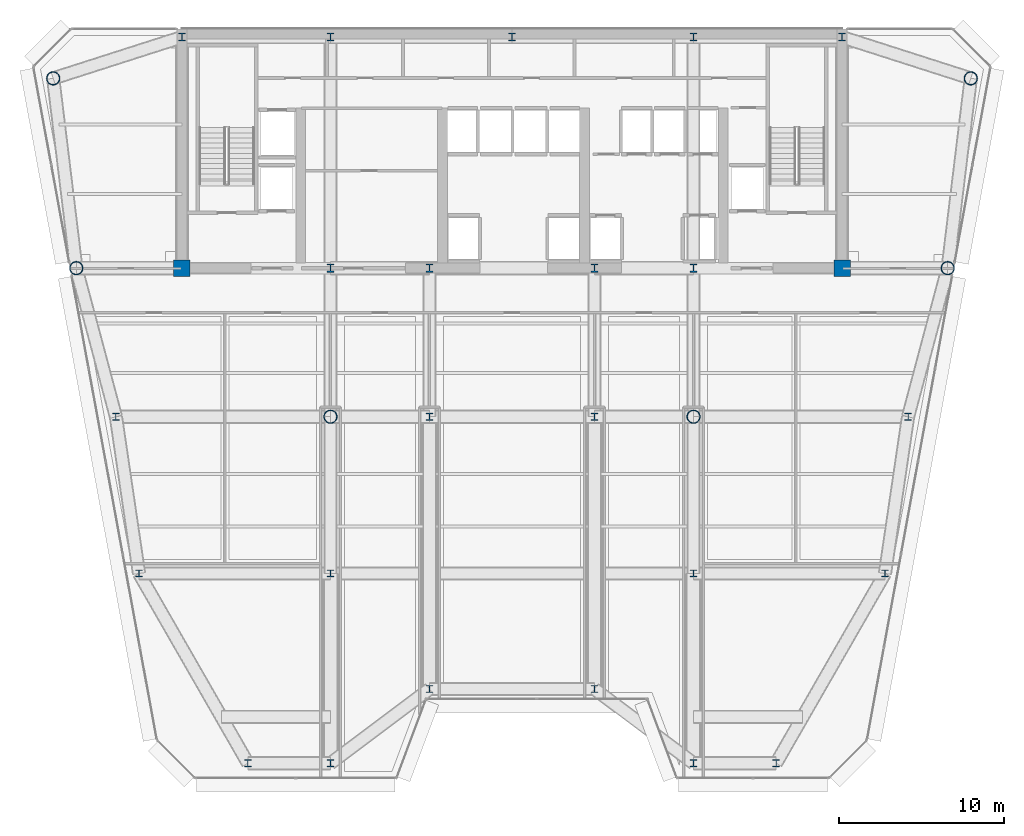
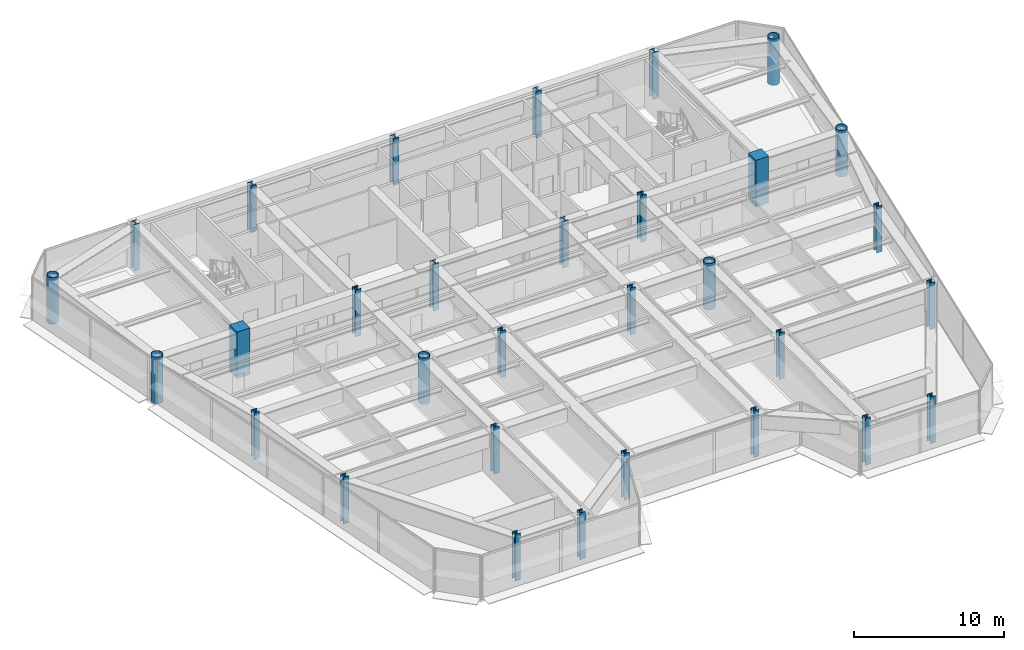
# One storey, part 1 of 16: 31 columns.
"""IFC4 building model written with IfcOpenShell, lengths in metres."""

from ifc_helpers import new_model, si_unit, direction, frame, origin, origin_2d, place, context, subcontext, project, spatial, rectangle, hollow_circle, i_section, extrude, source, transform, mapped, material, material_profile, profile_set, type_object, element, save


model = new_model("IFC4")

# Units and contexts
model_context = context("Model", 3, precision=1e-05, world=origin(), true_north=direction((0.0, 1.0)))
body_context = subcontext(model_context, "Body", "Model", "MODEL_VIEW")
ifc_project = project(units=[si_unit("LENGTHUNIT", "METRE"), si_unit("AREAUNIT", "SQUARE_METRE"), si_unit("VOLUMEUNIT", "CUBIC_METRE"), si_unit("PLANEANGLEUNIT", "RADIAN"), si_unit("MASSUNIT", "GRAM", prefix="KILO")], contexts=[model_context])

# Site, building, storey
site_placement = place(None, origin())
site = spatial("IfcSite", under=ifc_project, at=site_placement, CompositionType="ELEMENT")
building_placement = place(site_placement, origin())
building = spatial("IfcBuilding", under=site, at=building_placement, Name="Vaeldorn Concourse Tower", CompositionType="ELEMENT")
storey_placement = place(building_placement, frame((0.0, 0.0, 203.199951171875)))
storey = spatial("IfcBuildingStorey", under=building, at=storey_placement, Name="L52", CompositionType="ELEMENT", Elevation=203.199951171875)

# Columns
ifc_material_1 = material(Name="Concrete C50/60", Category="concrete")
ifc_material_profile_1 = material_profile(ifc_material_1, rectangle(XDim=1.0, YDim=1.0, at=origin_2d()), Name="RC 1000x1000")
ifc_profile_set_1 = profile_set([ifc_material_profile_1], Name="Concrete C50/60")
column_type_1 = type_object("IfcColumnType", Name="COL-RC1000", PredefinedType="COLUMN", material=ifc_profile_set_1)
shared_shape_1 = source(origin(), body_context, "Body", "SweptSolid", [
    extrude(rectangle(XDim=1.0, YDim=1.0, at=origin_2d()), origin(), (0.0, 0.0, 1.0), 3.800048828125),
])
for number, where, z_axis, x_axis, name in (
    (1, (14.0, 36.5, 0.0), (0.0, 0.0, 1.0), (1.0, 0.0, 0.0), "Column C-FC1 L52"),
    (2, (54.0, 36.5, 0.0), (0.0, 0.0, 1.0), (1.0, 0.0, 0.0), "Column C-FC6 L52"),
):
    element("IfcColumn", number, at=place(storey_placement, frame(where, z_axis=z_axis, x_axis=x_axis)), inside=storey, type_object=column_type_1, Name=name, PredefinedType="COLUMN", context=body_context, shape_type="MappedRepresentation", body=[
        mapped(shared_shape_1, transform((0.0, 0.0, 0.0), scale=1.0)),
    ])
ifc_material_2 = material(Name="Steel S460", Category="steel")
ifc_material_profile_2 = material_profile(ifc_material_2, i_section(OverallWidth=0.431884765625, OverallDepth=0.498046875, WebThickness=0.054931640625, FlangeThickness=0.068115234375, FilletRadius=0.014892578125, at=origin_2d()), Name="HD 400x744")
ifc_profile_set_2 = profile_set([ifc_material_profile_2], Name="Steel S460")
column_type_2 = type_object("IfcColumnType", Name="COL-HD744", PredefinedType="COLUMN", material=ifc_profile_set_2)
shared_shape_2 = source(origin(), body_context, "Body", "SweptSolid", [
    extrude(i_section(OverallWidth=0.431884765625, OverallDepth=0.498046875, WebThickness=0.054931640625, FlangeThickness=0.068115234375, FilletRadius=0.014892578125, at=origin_2d()), origin(), (0.0, 0.0, 1.0), 3.800048828125),
])
for number, where, z_axis, x_axis, name in (
    (3, (23.0, 36.5, 0.0), (0.0, 0.0, 1.0), (1.0, 0.0, 0.0), "Column C-FC2 L52"),
    (4, (29.0, 36.5, 0.0), (0.0, 0.0, 1.0), (1.0, 0.0, 0.0), "Column C-FC3 L52"),
    (5, (39.0, 36.5, 0.0), (0.0, 0.0, 1.0), (1.0, 0.0, 0.0), "Column C-FC4 L52"),
    (6, (45.0, 36.5, 0.0), (0.0, 0.0, 1.0), (1.0, 0.0, 0.0), "Column C-FC5 L52"),
    (7, (14.0, 50.5, 0.0), (0.0, 0.0, 1.0), (1.0, 0.0, 0.0), "Column C-HC1 L52"),
    (8, (23.0, 50.5, 0.0), (0.0, 0.0, 1.0), (1.0, 0.0, 0.0), "Column C-HC2 L52"),
    (9, (34.0, 50.5, 0.0), (0.0, 0.0, 1.0), (1.0, 0.0, 0.0), "Column C-HC3 L52"),
    (10, (45.0, 50.5, 0.0), (0.0, 0.0, 1.0), (1.0, 0.0, 0.0), "Column C-HC4 L52"),
    (11, (54.0, 50.5, 0.0), (0.0, 0.0, 1.0), (1.0, 0.0, 0.0), "Column C-HC5 L52"),
):
    element("IfcColumn", number, at=place(storey_placement, frame(where, z_axis=z_axis, x_axis=x_axis)), inside=storey, type_object=column_type_2, Name=name, PredefinedType="COLUMN", context=body_context, shape_type="MappedRepresentation", body=[
        mapped(shared_shape_2, transform((0.0, 0.0, 0.0), scale=1.0)),
    ])
ifc_material_profile_3 = material_profile(ifc_material_2, hollow_circle(Radius=0.406494140625, WallThickness=0.0400390625, at=origin_2d()), Name="CHS 813x40")
ifc_profile_set_3 = profile_set([ifc_material_profile_3], Name="Steel S460")
column_type_3 = type_object("IfcColumnType", Name="COL-CHS813", PredefinedType="COLUMN", material=ifc_profile_set_3)
shared_shape_3 = source(origin(), body_context, "Body", "SweptSolid", [
    extrude(hollow_circle(Radius=0.406494140625, WallThickness=0.0400390625, at=origin_2d()), origin(), (0.0, 0.0, 1.0), 3.800048828125),
])
for number, where, z_axis, x_axis, name in (
    (12, (6.199951171875, 48.0, 0.0), (0.0, 0.0, 1.0), (1.0, 0.0, 0.0), "Column C-NW1 L52"),
    (13, (7.60009765625, 36.5, 0.0), (0.0, 0.0, 1.0), (1.0, 0.0, 0.0), "Column C-NW2 L52"),
    (14, (61.800048828125, 48.0, 0.0), (0.0, 0.0, 1.0), (1.0, 0.0, 0.0), "Column C-NE1 L52"),
    (15, (60.39990234375, 36.5, 0.0), (0.0, 0.0, 1.0), (1.0, 0.0, 0.0), "Column C-NE2 L52"),
    (16, (23.0, 27.5, 0.0), (0.0, 0.0, 1.0), (1.0, 0.0, 0.0), "Column C-TW1 L52"),
    (17, (45.0, 27.5, 0.0), (0.0, 0.0, 1.0), (1.0, 0.0, 0.0), "Column C-TW4 L52"),
):
    element("IfcColumn", number, at=place(storey_placement, frame(where, z_axis=z_axis, x_axis=x_axis)), inside=storey, type_object=column_type_3, Name=name, PredefinedType="COLUMN", context=body_context, shape_type="MappedRepresentation", body=[
        mapped(shared_shape_3, transform((0.0, 0.0, 0.0), scale=1.0)),
    ])
ifc_material_3 = material(Name="Steel S355", Category="steel")
ifc_material_profile_4 = material_profile(ifc_material_3, i_section(OverallWidth=0.412109375, OverallDepth=0.43505859375, WebThickness=0.035888671875, FlangeThickness=0.050048828125, FilletRadius=0.014892578125, at=origin_2d()), Name="HD 400x463")
ifc_profile_set_4 = profile_set([ifc_material_profile_4], Name="Steel S355")
column_type_4 = type_object("IfcColumnType", Name="COL-HD463F", PredefinedType="COLUMN", material=ifc_profile_set_4)
shared_shape_4 = source(origin(), body_context, "Body", "SweptSolid", [
    extrude(i_section(OverallWidth=0.412109375, OverallDepth=0.43505859375, WebThickness=0.035888671875, FlangeThickness=0.050048828125, FilletRadius=0.014892578125, at=origin_2d()), origin(), (0.0, 0.0, 1.0), 3.800048828125),
])
for number, where, z_axis, x_axis, name in (
    (18, (10.0, 27.5, 0.0), (0.0, 0.0, 1.0), (1.0, 0.0, 0.0), "Column C-FLW1 L52"),
    (19, (11.39990234375, 18.0, 0.0), (0.0, 0.0, 1.0), (1.0, 0.0, 0.0), "Column C-FLW2 L52"),
    (20, (58.0, 27.5, 0.0), (0.0, 0.0, 1.0), (1.0, 0.0, 0.0), "Column C-FLE1 L52"),
    (21, (56.60009765625, 18.0, 0.0), (0.0, 0.0, 1.0), (1.0, 0.0, 0.0), "Column C-FLE2 L52"),
):
    element("IfcColumn", number, at=place(storey_placement, frame(where, z_axis=z_axis, x_axis=x_axis)), inside=storey, type_object=column_type_4, Name=name, PredefinedType="COLUMN", context=body_context, shape_type="MappedRepresentation", body=[
        mapped(shared_shape_4, transform((0.0, 0.0, 0.0), scale=1.0)),
    ])
ifc_material_profile_5 = material_profile(ifc_material_3, i_section(OverallWidth=0.412109375, OverallDepth=0.43505859375, WebThickness=0.035888671875, FlangeThickness=0.050048828125, FilletRadius=0.014892578125, at=origin_2d()), Name="HD 400x463")
ifc_profile_set_5 = profile_set([ifc_material_profile_5], Name="Steel S355")
column_type_5 = type_object("IfcColumnType", Name="COL-HD463T", PredefinedType="COLUMN", material=ifc_profile_set_5)
shared_shape_5 = source(origin(), body_context, "Body", "SweptSolid", [
    extrude(i_section(OverallWidth=0.412109375, OverallDepth=0.43505859375, WebThickness=0.035888671875, FlangeThickness=0.050048828125, FilletRadius=0.014892578125, at=origin_2d()), origin(), (0.0, 0.0, 1.0), 3.800048828125),
])
for number, where, z_axis, x_axis, name in (
    (22, (29.0, 27.5, 0.0), (0.0, 0.0, 1.0), (1.0, 0.0, 0.0), "Column C-TW2 L52"),
    (23, (39.0, 27.5, 0.0), (0.0, 0.0, 1.0), (1.0, 0.0, 0.0), "Column C-TW3 L52"),
    (24, (23.0, 18.0, 0.0), (0.0, 0.0, 1.0), (1.0, 0.0, 0.0), "Column C-TW5 L52"),
    (25, (45.0, 18.0, 0.0), (0.0, 0.0, 1.0), (1.0, 0.0, 0.0), "Column C-TW6 L52"),
    (26, (18.0, 6.5, 0.0), (0.0, 0.0, 1.0), (1.0, 0.0, 0.0), "Column C-SF1 L52"),
    (27, (23.0, 6.5, 0.0), (0.0, 0.0, 1.0), (1.0, 0.0, 0.0), "Column C-SF2 L52"),
    (28, (29.0, 11.0, 0.0), (0.0, 0.0, 1.0), (1.0, 0.0, 0.0), "Column C-SF3 L52"),
    (29, (39.0, 11.0, 0.0), (0.0, 0.0, 1.0), (1.0, 0.0, 0.0), "Column C-SF4 L52"),
    (30, (45.0, 6.5, 0.0), (0.0, 0.0, 1.0), (1.0, 0.0, 0.0), "Column C-SF5 L52"),
    (31, (50.0, 6.5, 0.0), (0.0, 0.0, 1.0), (1.0, 0.0, 0.0), "Column C-SF6 L52"),
):
    element("IfcColumn", number, at=place(storey_placement, frame(where, z_axis=z_axis, x_axis=x_axis)), inside=storey, type_object=column_type_5, Name=name, PredefinedType="COLUMN", context=body_context, shape_type="MappedRepresentation", body=[
        mapped(shared_shape_5, transform((0.0, 0.0, 0.0), scale=1.0)),
    ])

save(model, "model.ifc")
